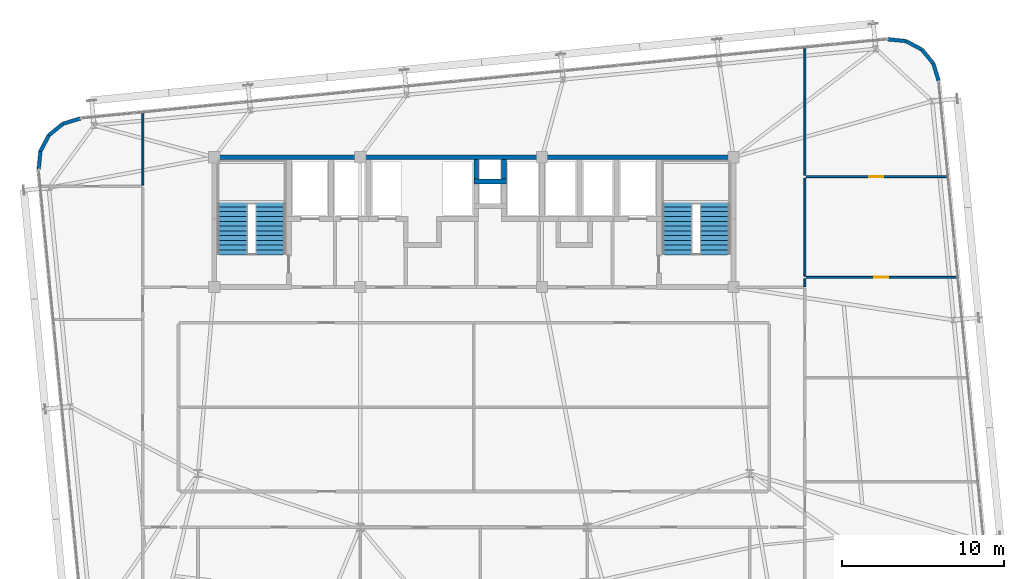
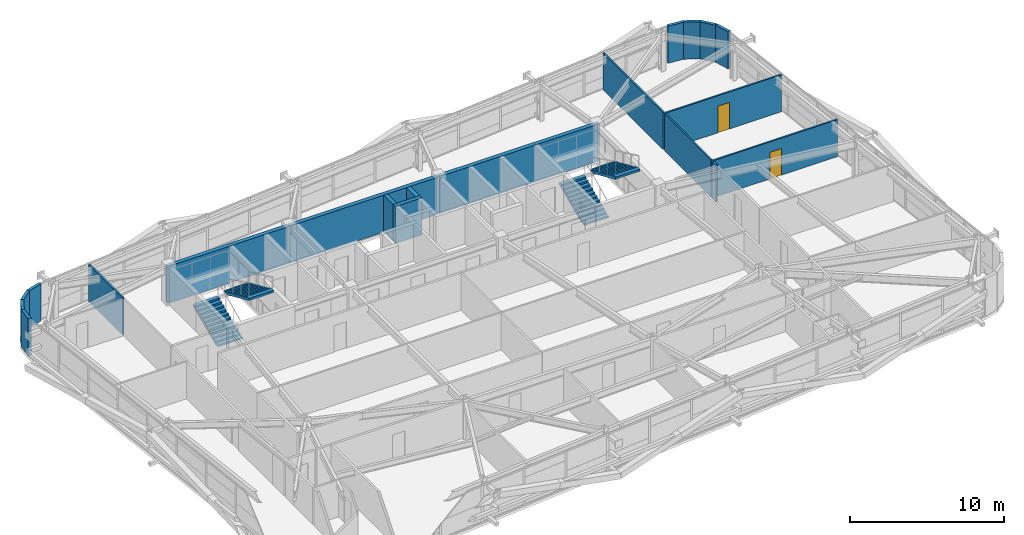
# One storey, part 49 of 52: 20 walls, 4 stair flights, 2 doors, 2 openings, 2 elements without a shape of their own.
"""IFC4 building model written with IfcOpenShell, lengths in metres."""

from ifc_helpers import new_model, si_unit, direction, frame, frame_2d, origin, place, context, subcontext, project, spatial, polyline, rectangle, outline, extrude, source, transform, mapped, material, layer, layer_set, type_object, element, fill, aggregate, save


model = new_model("IFC4")

# Units and contexts
model_context = context("Model", 3, precision=1e-05, world=origin(), true_north=direction((0.0, 1.0)))
body_context = subcontext(model_context, "Body", "Model", "MODEL_VIEW")
ifc_project = project(units=[si_unit("LENGTHUNIT", "METRE"), si_unit("AREAUNIT", "SQUARE_METRE"), si_unit("VOLUMEUNIT", "CUBIC_METRE"), si_unit("PLANEANGLEUNIT", "RADIAN"), si_unit("MASSUNIT", "GRAM", prefix="KILO")], contexts=[model_context])

# Site, building, storey
site_placement = place(None, origin())
site = spatial("IfcSite", under=ifc_project, at=site_placement, CompositionType="ELEMENT")
building_placement = place(site_placement, origin())
building = spatial("IfcBuilding", under=site, at=building_placement, Name="Taldren Reach Tower", CompositionType="ELEMENT")
storey_placement = place(building_placement, frame((0.0, 0.0, 74.550048828125)))
storey = spatial("IfcBuildingStorey", under=building, at=storey_placement, Name="L22", CompositionType="ELEMENT", Elevation=74.550048828125)

# Walls
ifc_material_1 = material(Name="Pale Champagne Anodised Aluminium Cladding", Category="aluminium")
ifc_layer_1 = layer(ifc_material_1, 0.04, Name="Pale Champagne Anodised Aluminium Cladding", Category="aluminium")
ifc_material_2 = material(Name="Mineral Wool Acoustic Insulation", Category="insulation")
ifc_layer_2 = layer(ifc_material_2, 0.06, Name="Mineral Wool Acoustic Insulation", Category="insulation")
ifc_material_3 = material(Name="Steel Gr 350 (C350L0)", Category="steel")
ifc_layer_3 = layer(ifc_material_3, 0.12, Name="Steel Gr 350 (C350L0)", Category="steel")
ifc_layer_set_1 = layer_set([ifc_layer_1, ifc_layer_2, ifc_layer_3], Name="Pale Champagne Aluminium Cladding and Steel Gr 350 Stud Framing")
wall_type_1 = type_object("IfcWallType", Name="EW-CRN-220", PredefinedType="SOLIDWALL", material=ifc_layer_set_1)
shared_shape_1 = source(origin(), body_context, "Body", "SweptSolid", [
    extrude(rectangle(XDim=1.115966796875, YDim=0.219970703125, at=frame_2d((0.55810546875, 0.0))), origin(), (0.0, 0.0, 1.0), 2.929931640625),
])
for number, where, z_axis, x_axis, name in (
    (1, (63.6376953125, 36.6982421875, 0.0), (0.0, 0.0, 1.0), (-0.289855603468, 0.957070388811, 0.0), "Rounded-corner pale-metal facade wall L22-NE1"),
    (2, (62.606689453125, 38.629150390625, 0.0), (0.0, 0.0, 1.0), (-0.881655534635, 0.471893545461, 0.0), "Rounded-corner pale-metal facade wall L22-NE3"),
    (3, (61.622802734375, 39.15576171875, 0.0), (0.0, 0.0, 1.0), (-0.995142755671, 0.09844234778, 0.0), "Rounded-corner pale-metal facade wall L22-NE4"),
    (4, (10.7509765625, 34.386474609375, 0.0), (0.0, 0.0, 1.0), (-0.957070388811, -0.289855603468, 0.0), "Rounded-corner pale-metal facade wall L22-NW1"),
):
    element("IfcWall", number, at=place(storey_placement, frame(where, z_axis=z_axis, x_axis=x_axis)), inside=storey, type_object=wall_type_1, Name=name, PredefinedType="SOLIDWALL", context=body_context, shape_type="MappedRepresentation", body=[
        mapped(shared_shape_1, transform((0.0, 0.0, 0.0), scale=1.0)),
    ])
shared_shape_2 = source(origin(), body_context, "Body", "SweptSolid", [
    extrude(rectangle(XDim=1.11572265625, YDim=0.219970703125, at=frame_2d((0.557861328125, 0.0))), origin(), (0.0, 0.0, 1.0), 2.929931640625),
])
for number, where, z_axis, x_axis, name in (
    (5, (63.314208984375, 37.766357421875, 0.0), (0.0, 0.0, 1.0), (-0.634095287989, 0.773254916409, 0.0), "Rounded-corner pale-metal facade wall L22-NE2"),
    (6, (9.682861328125, 34.06298828125, 0.0), (0.0, 0.0, 1.0), (-0.773254916409, -0.634095287989, 0.0), "Rounded-corner pale-metal facade wall L22-NW2"),
    (7, (8.29345703125, 32.371337890625, 0.0), (0.0, 0.0, 1.0), (-0.098463783145, -0.99514063499, 0.0), "Rounded-corner pale-metal facade wall L22-NW4"),
):
    element("IfcWall", number, at=place(storey_placement, frame(where, z_axis=z_axis, x_axis=x_axis)), inside=storey, type_object=wall_type_1, Name=name, PredefinedType="SOLIDWALL", context=body_context, shape_type="MappedRepresentation", body=[
        mapped(shared_shape_2, transform((0.0, 0.0, 0.0), scale=1.0)),
    ])
shared_shape_3 = source(origin(), body_context, "Body", "SweptSolid", [
    extrude(rectangle(XDim=1.1162109375, YDim=0.219970703125, at=frame_2d((0.55810546875, 0.0))), origin(), (0.0, 0.0, 1.0), 2.929931640625),
])
wall_1_placement = place(storey_placement, frame((8.820068359375, 33.35546875, 0.0), z_axis=(0.0, 0.0, 1.0), x_axis=(-0.471802540493, -0.881704237704, 0.0)))
element("IfcWall", 8, at=wall_1_placement, inside=storey, type_object=wall_type_1, Name="Rounded-corner pale-metal facade wall L22-NW3", PredefinedType="SOLIDWALL", context=body_context, shape_type="MappedRepresentation", body=[
    mapped(shared_shape_3, transform((0.0, 0.0, 0.0), scale=1.0)),
])
ifc_material_4 = material(Name="Concrete S65 (65 MPa)", Category="concrete")
ifc_layer_4 = layer(ifc_material_4, 0.300048828125)
ifc_layer_set_2 = layer_set([ifc_layer_4], Name="Concrete S65 (65 MPa)")
wall_type_2 = type_object("IfcWallType", Name="IW-CORE-300", PredefinedType="SHEAR", material=ifc_layer_set_2)
shared_shape_4 = source(origin(), body_context, "Body", "SweptSolid", [
    extrude(rectangle(XDim=9.14990234375, YDim=0.300048828125, at=frame_2d((4.574951171875, 0.0))), origin(), (0.0, 0.0, 1.0), 2.929931640625),
])
wall_2_placement = place(storey_placement, frame((18.85009765625, 32.0, 0.0), z_axis=(0.0, 0.0, 1.0), x_axis=(1.0, 0.0, 0.0)))
element("IfcWall", 9, at=wall_2_placement, inside=storey, type_object=wall_type_2, Name="Rear Core Shear Wall W-CORE-L22-NORTH1", PredefinedType="SHEAR", context=body_context, shape_type="MappedRepresentation", body=[
    mapped(shared_shape_4, transform((0.0, 0.0, 0.0), scale=1.0)),
])
shared_shape_5 = source(origin(), body_context, "Body", "SweptSolid", [
    extrude(rectangle(XDim=11.199951171875, YDim=0.300048828125, at=frame_2d((5.60009765625, 0.0))), origin(), (0.0, 0.0, 1.0), 2.929931640625),
])
wall_3_placement = place(storey_placement, frame((28.0, 32.0, 0.0), z_axis=(0.0, 0.0, 1.0), x_axis=(1.0, 0.0, 0.0)))
element("IfcWall", 10, at=wall_3_placement, inside=storey, type_object=wall_type_2, Name="Rear Core Shear Wall W-CORE-L22-NORTH2", PredefinedType="SHEAR", context=body_context, shape_type="MappedRepresentation", body=[
    mapped(shared_shape_5, transform((0.0, 0.0, 0.0), scale=1.0)),
])
shared_shape_6 = source(origin(), body_context, "Body", "SweptSolid", [
    extrude(rectangle(XDim=11.949951171875, YDim=0.300048828125, at=frame_2d((5.97509765625, 0.0))), origin(), (0.0, 0.0, 1.0), 2.929931640625),
])
wall_4_placement = place(storey_placement, frame((39.199951171875, 32.0, 0.0), z_axis=(0.0, 0.0, 1.0), x_axis=(1.0, 0.0, 0.0)))
element("IfcWall", 11, at=wall_4_placement, inside=storey, type_object=wall_type_2, Name="Rear Core Shear Wall W-CORE-L22-NORTH3", PredefinedType="SHEAR", context=body_context, shape_type="MappedRepresentation", body=[
    mapped(shared_shape_6, transform((0.0, 0.0, 0.0), scale=1.0)),
])
shared_shape_7 = source(origin(), body_context, "Body", "SweptSolid", [
    extrude(rectangle(XDim=2.0, YDim=0.300048828125, at=frame_2d((1.0, 0.0))), origin(), (0.0, 0.0, 1.0), 2.929931640625),
])
wall_5_placement = place(storey_placement, frame((35.0, 30.5, 0.0), z_axis=(0.0, 0.0, 1.0), x_axis=(1.0, 0.0, 0.0)))
element("IfcWall", 12, at=wall_5_placement, inside=storey, type_object=wall_type_2, Name="Rear Core Shear Wall W-INT-L22-015", PredefinedType="SHEAR", context=body_context, shape_type="MappedRepresentation", body=[
    mapped(shared_shape_7, transform((0.0, 0.0, 0.0), scale=1.0)),
])
shared_shape_8 = source(origin(), body_context, "Body", "SweptSolid", [
    extrude(rectangle(XDim=1.2001953125, YDim=0.300048828125, at=frame_2d((0.60009765625, 0.0))), origin(), (0.0, 0.0, 1.0), 2.929931640625),
])
for number, where, z_axis, x_axis, name in (
    (13, (35.14990234375, 31.85009765625, 0.0), (0.0, 0.0, 1.0), (0.0, -1.0, 0.0), "Rear Core Shear Wall W-INT-L22-016"),
    (14, (36.85009765625, 30.64990234375, 0.0), (0.0, 0.0, 1.0), (0.0, 1.0, 0.0), "Rear Core Shear Wall W-INT-L22-017"),
):
    element("IfcWall", number, at=place(storey_placement, frame(where, z_axis=z_axis, x_axis=x_axis)), inside=storey, type_object=wall_type_2, Name=name, PredefinedType="SHEAR", context=body_context, shape_type="MappedRepresentation", body=[
        mapped(shared_shape_8, transform((0.0, 0.0, 0.0), scale=1.0)),
    ])
ifc_material_5 = material(Name="Insulated Residential Stud Partition", Category="gypsum")
ifc_layer_5 = layer(ifc_material_5, 0.1201171875)
ifc_layer_set_3 = layer_set([ifc_layer_5], Name="Insulated Residential Stud Partition")
wall_type_3 = type_object("IfcWallType", Name="IW-PART-120", PredefinedType="PARTITIONING", material=ifc_layer_set_3)
shared_shape_9 = source(origin(), body_context, "Body", "SweptSolid", [
    extrude(rectangle(XDim=4.385498046875, YDim=0.1201171875, at=frame_2d((2.19287109375, 0.0))), origin(), (0.0, 0.0, 1.0), 2.929931640625),
])
wall_6_placement = place(storey_placement, frame((14.60009765625, 34.66552734375, 0.0), z_axis=(0.0, 0.0, 1.0), x_axis=(0.0, -1.0, 0.0)))
element("IfcWall", 15, at=wall_6_placement, inside=storey, type_object=wall_type_3, Name="Interior Partition Wall W-INT-L22-092", PredefinedType="PARTITIONING", context=body_context, shape_type="MappedRepresentation", body=[
    mapped(shared_shape_9, transform((0.0, 0.0, 0.0), scale=1.0)),
])

# Wall, opening, door
shared_shape_10 = source(origin(), body_context, "Body", "SweptSolid", [
    extrude(rectangle(XDim=9.26123046875, YDim=0.1201171875, at=frame_2d((4.630615234375, 0.0))), origin(), (0.0, 0.0, 1.0), 2.929931640625),
])
wall_7_placement = place(storey_placement, frame((55.47998046875, 24.60009765625, 0.0), z_axis=(0.0, 0.0, 1.0), x_axis=(1.0, 0.0, 0.0)))
wall_7 = element("IfcWall", 16, at=wall_7_placement, inside=storey, type_object=wall_type_3, Name="Interior Partition Wall W-INT-L22-095", PredefinedType="PARTITIONING", context=body_context, shape_type="MappedRepresentation", body=[
    mapped(shared_shape_10, transform((0.0, 0.0, 0.0), scale=1.0)),
])
shared_shape_11 = source(origin(), body_context, "Body", "SweptSolid", [
    extrude(rectangle(XDim=0.860107421875, YDim=2.10009765625, at=frame_2d((0.43017578125, 1.050048828125))), frame((0.0, 0.070068359375, 0.0), z_axis=(0.0, -1.0, 0.0), x_axis=(1.0, 0.0, 0.0)), (0.0, 0.0, 1.0), 0.14013671875),
])
opening_1_placement = place(wall_7_placement, frame((4.20068359375, 0.0, 0.0)))
opening_1 = element("IfcOpeningElement", 17, at=opening_1_placement, cuts=wall_7, Name="Opening DI-086", PredefinedType="OPENING", context=body_context, shape_type="MappedRepresentation", body=[
    mapped(shared_shape_11, transform((0.0, 0.0, 0.0), scale=1.0)),
])
ifc_material_6 = material(Name="Timber Bathroom Door", Category="wood")
door_type = type_object("IfcDoorType", Name="ID-INT-086", OperationType="NOTDEFINED", PredefinedType="DOOR", material=ifc_material_6)
shared_shape_12 = source(origin(), body_context, "Body", "SweptSolid", [
    extrude(rectangle(XDim=0.860107421875, YDim=2.10009765625, at=frame_2d((0.43017578125, 1.050048828125))), frame((0.0, 0.02490234375, 0.0), z_axis=(0.0, -1.0, 0.0), x_axis=(1.0, 0.0, 0.0)), (0.0, 0.0, 1.0), 0.050048828125),
])
door_1_placement = place(opening_1_placement, origin())
door_1 = element("IfcDoor", 18, at=door_1_placement, inside=storey, type_object=door_type, Name="Interior Door DR-L22-028", OperationType="SINGLE_SWING_LEFT", OverallHeight=2.10009765625, OverallWidth=0.860107421875, PredefinedType="DOOR", context=body_context, shape_type="MappedRepresentation", body=[
    mapped(shared_shape_12, transform((0.0, 0.0, 0.0), scale=1.0)),
])
fill(opening_1, door_1)

# Wall
shared_shape_13 = source(origin(), body_context, "Body", "SweptSolid", [
    extrude(rectangle(XDim=0.499755859375, YDim=0.1201171875, at=frame_2d((0.25, 0.0))), origin(), (0.0, 0.0, 1.0), 2.929931640625),
])
wall_8_placement = place(storey_placement, frame((55.39990234375, 24.020263671875, 0.0), z_axis=(0.0, 0.0, 1.0), x_axis=(0.0, 1.0, 0.0)))
element("IfcWall", 19, at=wall_8_placement, inside=storey, type_object=wall_type_3, Name="Interior Partition Wall W-INT-L22-096", PredefinedType="PARTITIONING", context=body_context, shape_type="MappedRepresentation", body=[
    mapped(shared_shape_13, transform((0.0, 0.0, 0.0), scale=1.0)),
])

# Wall, opening, door
shared_shape_14 = source(origin(), body_context, "Body", "SweptSolid", [
    extrude(rectangle(XDim=8.6533203125, YDim=0.1201171875, at=frame_2d((4.32666015625, 0.0))), origin(), (0.0, 0.0, 1.0), 2.929931640625),
])
wall_9_placement = place(storey_placement, frame((55.47998046875, 30.800048828125, 0.0), z_axis=(0.0, 0.0, 1.0), x_axis=(1.0, 0.0, 0.0)))
wall_9 = element("IfcWall", 20, at=wall_9_placement, inside=storey, type_object=wall_type_3, Name="Interior Partition Wall W-INT-L22-097", PredefinedType="PARTITIONING", context=body_context, shape_type="MappedRepresentation", body=[
    mapped(shared_shape_14, transform((0.0, 0.0, 0.0), scale=1.0)),
])
opening_2_placement = place(wall_9_placement, frame((3.896728515625, 0.0, 0.0)))
opening_2 = element("IfcOpeningElement", 21, at=opening_2_placement, cuts=wall_9, Name="Opening DI-086", PredefinedType="OPENING", context=body_context, shape_type="MappedRepresentation", body=[
    mapped(shared_shape_11, transform((0.0, 0.0, 0.0), scale=1.0)),
])
door_2_placement = place(opening_2_placement, frame((0.860107421875, 0.0, 0.0), z_axis=(0.0, 0.0, 1.0), x_axis=(-1.0, 0.0, 0.0)))
door_2 = element("IfcDoor", 22, at=door_2_placement, inside=storey, type_object=door_type, Name="Interior Door DR-L22-029", OperationType="SINGLE_SWING_LEFT", OverallHeight=2.10009765625, OverallWidth=0.860107421875, PredefinedType="DOOR", context=body_context, shape_type="MappedRepresentation", body=[
    mapped(shared_shape_12, transform((0.0, 0.0, 0.0), scale=1.0)),
])
fill(opening_2, door_2)

# Walls
shared_shape_15 = source(origin(), body_context, "Body", "SweptSolid", [
    extrude(rectangle(XDim=6.0400390625, YDim=0.1201171875, at=frame_2d((3.02001953125, 0.0))), origin(), (0.0, 0.0, 1.0), 2.929931640625),
])
wall_10_placement = place(storey_placement, frame((55.39990234375, 24.679931640625, 0.0), z_axis=(0.0, 0.0, 1.0), x_axis=(0.0, 1.0, 0.0)))
element("IfcWall", 23, at=wall_10_placement, inside=storey, type_object=wall_type_3, Name="Interior Partition Wall W-INT-L22-098", PredefinedType="PARTITIONING", context=body_context, shape_type="MappedRepresentation", body=[
    mapped(shared_shape_15, transform((0.0, 0.0, 0.0), scale=1.0)),
])
shared_shape_16 = source(origin(), body_context, "Body", "SweptSolid", [
    extrude(rectangle(XDim=7.8017578125, YDim=0.1201171875, at=frame_2d((3.90087890625, 0.0))), origin(), (0.0, 0.0, 1.0), 2.929931640625),
])
wall_11_placement = place(storey_placement, frame((55.39990234375, 30.8798828125, 0.0), z_axis=(0.0, 0.0, 1.0), x_axis=(0.0, 1.0, 0.0)))
element("IfcWall", 24, at=wall_11_placement, inside=storey, type_object=wall_type_3, Name="Interior Partition Wall W-INT-L22-099", PredefinedType="PARTITIONING", context=body_context, shape_type="MappedRepresentation", body=[
    mapped(shared_shape_16, transform((0.0, 0.0, 0.0), scale=1.0)),
])

# Stair, stair flights
ifc_material_7 = material(Name="Concrete S50 (50 MPa)", Category="concrete")
stair_type = type_object("IfcStairType", Name="ST-HT-315", PredefinedType="HALF_TURN_STAIR", material=ifc_material_7)
stair_1_placement = place(storey_placement, origin())
stair_1 = element("IfcStair", 25, at=stair_1_placement, inside=storey, type_object=stair_type, Name="Fire-isolated exit stair ST1 L22", PredefinedType="HALF_TURN_STAIR")
stair_flight_type = type_object("IfcStairFlightType", Name="SF-STR-315", PredefinedType="STRAIGHT", material=ifc_material_7)
stair_flight_1_placement = place(storey_placement, frame((20.139892578125, 25.989990234375, 0.0), z_axis=(0.0, 0.0, 1.0), x_axis=(0.0, 1.0, 0.0)))
stair_flight_1 = element("IfcStairFlight", 26, at=stair_flight_1_placement, type_object=stair_flight_type, Name="ST1 flight 1", NumberOfRisers=12, NumberOfTreads=11, PredefinedType="STRAIGHT", RiserHeight=0.13125, TreadLength=0.295, context=body_context, shape_type="SweptSolid", body=[
    extrude(outline(polyline([(0.0, 0.0), (0.0, 0.13134765625), (0.294921875, 0.13134765625), (0.294921875, 0.262451171875), (0.590087890625, 0.262451171875), (0.590087890625, 0.393798828125), (0.885009765625, 0.393798828125), (0.885009765625, 0.52490234375), (1.179931640625, 0.52490234375), (1.179931640625, 0.65625), (1.47509765625, 0.65625), (1.47509765625, 0.78759765625), (1.77001953125, 0.78759765625), (1.77001953125, 0.918701171875), (2.06494140625, 0.918701171875), (2.06494140625, 1.050048828125), (2.360107421875, 1.050048828125), (2.360107421875, 1.18115234375), (2.655029296875, 1.18115234375), (2.655029296875, 1.3125), (2.949951171875, 1.3125), (2.949951171875, 1.44384765625), (3.2451171875, 1.44384765625), (3.2451171875, 1.574951171875), (3.2451171875, 1.268798828125), (0.393310546875, 0.0), (0.0, 0.0)])), frame((0.0, 0.919921875, 0.0), z_axis=(0.0, -1.0, 0.0), x_axis=(1.0, 0.0, 0.0)), (0.0, 0.0, 1.0), 1.840087890625),
])
stair_flight_2_placement = place(storey_placement, frame((22.4599609375, 29.235107421875, 1.574951171875), z_axis=(0.0, 0.0, 1.0), x_axis=(0.0, -1.0, 0.0)))
stair_flight_2 = element("IfcStairFlight", 27, at=stair_flight_2_placement, type_object=stair_flight_type, Name="ST1 flight 2", NumberOfRisers=12, NumberOfTreads=11, PredefinedType="STRAIGHT", RiserHeight=0.13125, TreadLength=0.295, context=body_context, shape_type="SweptSolid", body=[
    extrude(outline(polyline([(0.0, 0.0), (0.0, 0.13134765625), (0.294921875, 0.13134765625), (0.294921875, 0.262451171875), (0.590087890625, 0.262451171875), (0.590087890625, 0.393798828125), (0.885009765625, 0.393798828125), (0.885009765625, 0.52490234375), (1.179931640625, 0.52490234375), (1.179931640625, 0.65625), (1.47509765625, 0.65625), (1.47509765625, 0.78759765625), (1.77001953125, 0.78759765625), (1.77001953125, 0.918701171875), (2.06494140625, 0.918701171875), (2.06494140625, 1.050048828125), (2.360107421875, 1.050048828125), (2.360107421875, 1.18115234375), (2.655029296875, 1.18115234375), (2.655029296875, 1.3125), (2.949951171875, 1.3125), (2.949951171875, 1.44384765625), (3.2451171875, 1.44384765625), (3.2451171875, 1.574951171875), (3.2451171875, 1.268798828125), (0.393310546875, 0.0), (0.0, 0.0)])), frame((0.0, 0.919921875, 0.0), z_axis=(0.0, -1.0, 0.0), x_axis=(1.0, 0.0, 0.0)), (0.0, 0.0, 1.0), 1.840087890625),
])
aggregate(stair_1, [stair_flight_1, stair_flight_2])

stair_2_placement = place(storey_placement, origin())
stair_2 = element("IfcStair", 28, at=stair_2_placement, inside=storey, type_object=stair_type, Name="Fire-isolated exit stair ST2 L22", PredefinedType="HALF_TURN_STAIR")
stair_flight_3_placement = place(storey_placement, frame((47.5400390625, 25.989990234375, 0.0), z_axis=(0.0, 0.0, 1.0), x_axis=(0.0, 1.0, 0.0)))
stair_flight_3 = element("IfcStairFlight", 29, at=stair_flight_3_placement, type_object=stair_flight_type, Name="ST2 flight 1", NumberOfRisers=12, NumberOfTreads=11, PredefinedType="STRAIGHT", RiserHeight=0.13125, TreadLength=0.295, context=body_context, shape_type="SweptSolid", body=[
    extrude(outline(polyline([(0.0, 0.0), (0.0, 0.13134765625), (0.294921875, 0.13134765625), (0.294921875, 0.262451171875), (0.590087890625, 0.262451171875), (0.590087890625, 0.393798828125), (0.885009765625, 0.393798828125), (0.885009765625, 0.52490234375), (1.179931640625, 0.52490234375), (1.179931640625, 0.65625), (1.47509765625, 0.65625), (1.47509765625, 0.78759765625), (1.77001953125, 0.78759765625), (1.77001953125, 0.918701171875), (2.06494140625, 0.918701171875), (2.06494140625, 1.050048828125), (2.360107421875, 1.050048828125), (2.360107421875, 1.18115234375), (2.655029296875, 1.18115234375), (2.655029296875, 1.3125), (2.949951171875, 1.3125), (2.949951171875, 1.44384765625), (3.2451171875, 1.44384765625), (3.2451171875, 1.574951171875), (3.2451171875, 1.268798828125), (0.393310546875, 0.0), (0.0, 0.0)])), frame((0.0, 0.919921875, 0.0), z_axis=(0.0, -1.0, 0.0), x_axis=(1.0, 0.0, 0.0)), (0.0, 0.0, 1.0), 1.840087890625),
])
stair_flight_4_placement = place(storey_placement, frame((49.860107421875, 29.235107421875, 1.574951171875), z_axis=(0.0, 0.0, 1.0), x_axis=(0.0, -1.0, 0.0)))
stair_flight_4 = element("IfcStairFlight", 30, at=stair_flight_4_placement, type_object=stair_flight_type, Name="ST2 flight 2", NumberOfRisers=12, NumberOfTreads=11, PredefinedType="STRAIGHT", RiserHeight=0.13125, TreadLength=0.295, context=body_context, shape_type="SweptSolid", body=[
    extrude(outline(polyline([(0.0, 0.0), (0.0, 0.13134765625), (0.294921875, 0.13134765625), (0.294921875, 0.262451171875), (0.590087890625, 0.262451171875), (0.590087890625, 0.393798828125), (0.885009765625, 0.393798828125), (0.885009765625, 0.52490234375), (1.179931640625, 0.52490234375), (1.179931640625, 0.65625), (1.47509765625, 0.65625), (1.47509765625, 0.78759765625), (1.77001953125, 0.78759765625), (1.77001953125, 0.918701171875), (2.06494140625, 0.918701171875), (2.06494140625, 1.050048828125), (2.360107421875, 1.050048828125), (2.360107421875, 1.18115234375), (2.655029296875, 1.18115234375), (2.655029296875, 1.3125), (2.949951171875, 1.3125), (2.949951171875, 1.44384765625), (3.2451171875, 1.44384765625), (3.2451171875, 1.574951171875), (3.2451171875, 1.268798828125), (0.393310546875, 0.0), (0.0, 0.0)])), frame((0.0, 0.919921875, 0.0), z_axis=(0.0, -1.0, 0.0), x_axis=(1.0, 0.0, 0.0)), (0.0, 0.0, 1.0), 1.840087890625),
])
aggregate(stair_2, [stair_flight_3, stair_flight_4])

save(model, "model.ifc")
